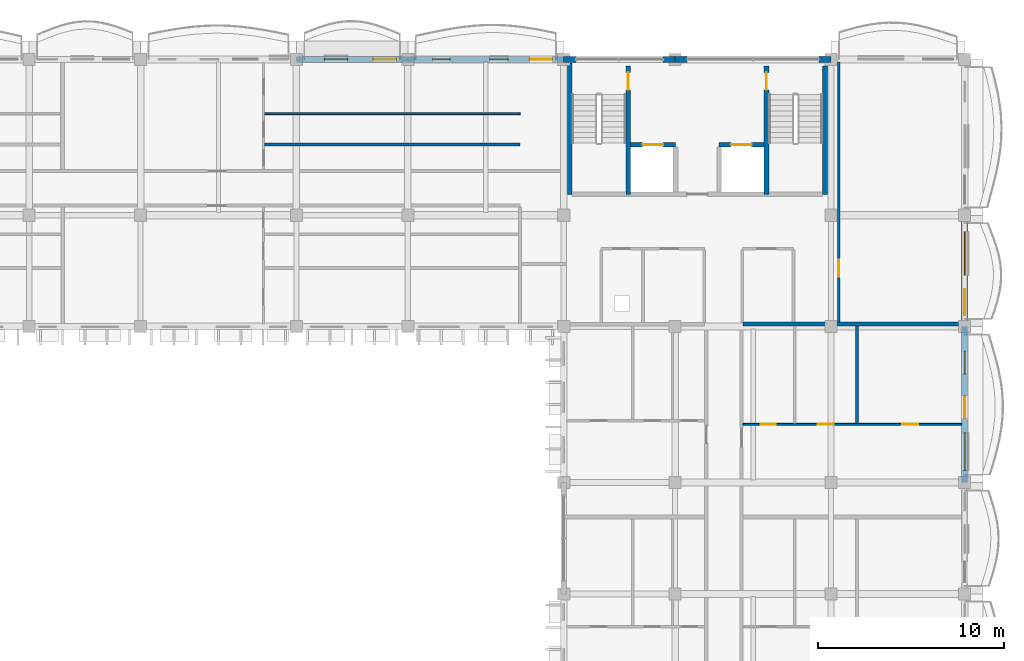
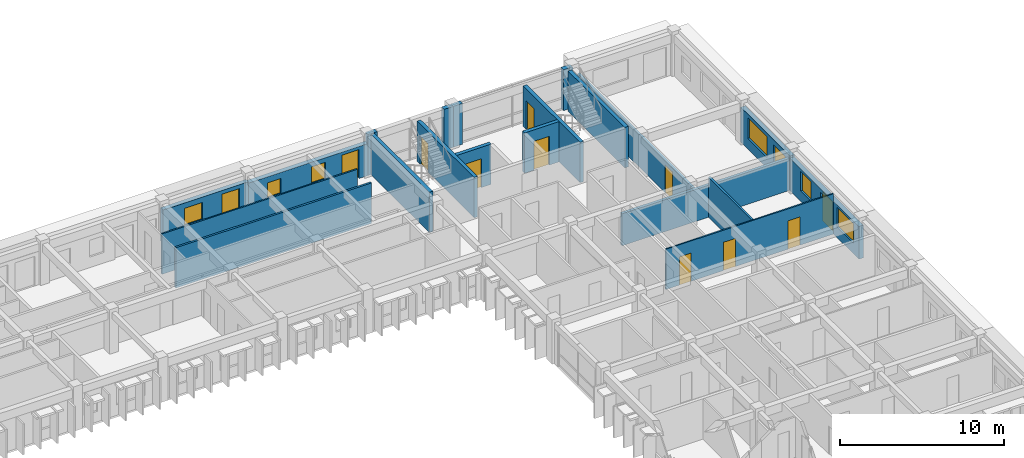
# One storey, part 46 of 76: 20 walls, 12 doors, 6 windows, 18 openings.
"""IFC4 building model written with IfcOpenShell, lengths in metres."""

from ifc_helpers import new_model, si_unit, direction, frame, frame_2d, origin, place, context, subcontext, project, spatial, rectangle, extrude, material, layer, layer_set, type_object, element, fill, save


model = new_model("IFC4")

# Units and contexts
model_context = context("Model", 3, precision=1e-05, world=origin(), true_north=direction((0.0, 1.0)))
body_context = subcontext(model_context, "Body", "Model", "MODEL_VIEW")
ifc_project = project(units=[si_unit("LENGTHUNIT", "METRE"), si_unit("AREAUNIT", "SQUARE_METRE"), si_unit("VOLUMEUNIT", "CUBIC_METRE"), si_unit("PLANEANGLEUNIT", "RADIAN"), si_unit("MASSUNIT", "GRAM", prefix="KILO"), si_unit("THERMODYNAMICTEMPERATUREUNIT", "KELVIN")], contexts=[model_context])

# Site, building, storey
site_placement = place(None, origin())
site = spatial("IfcSite", under=ifc_project, at=site_placement, CompositionType="ELEMENT")
building_placement = place(site_placement, origin())
building = spatial("IfcBuilding", under=site, at=building_placement, Name="Thalorik Housing Commons", CompositionType="ELEMENT")
storey_placement = place(building_placement, frame((0.0, 0.0, 18.0)))
storey = spatial("IfcBuildingStorey", under=building, at=storey_placement, Name="L05", CompositionType="ELEMENT", Elevation=18.0)

# Wall, opening, door
ifc_material_1 = material(Name="Concrete C40/50", Category="concrete")
ifc_layer_1 = layer(ifc_material_1, 0.25, Name="Concrete C40/50", Category="concrete")
ifc_layer_set_1 = layer_set([ifc_layer_1], Name="Concrete C40/50")
wall_type_1 = type_object("IfcWallType", Name="ARC-WAL-CORE-250", PredefinedType="SHEAR", material=ifc_layer_set_1)
wall_1_placement = place(storey_placement, frame((155.875, 123.25, 0.0), z_axis=(0.0, 0.0, 1.0), x_axis=(0.0, -1.0, 0.0)))
wall_1 = element("IfcWall", 1, at=wall_1_placement, inside=storey, type_object=wall_type_1, Name="L05 Core B Stair 1 Shear Wall", PredefinedType="SHEAR", context=body_context, shape_type="SweptSolid", body=[
    extrude(rectangle(XDim=6.925048828125, YDim=0.25, at=frame_2d((3.46240234375, 0.0))), origin(), (0.0, 0.0, 1.0), 3.0),
])
opening_1_placement = place(wall_1_placement, frame((0.35009765625, 0.0, 0.0)))
opening_1 = element("IfcOpeningElement", 2, at=opening_1_placement, cuts=wall_1, Name="Opening ID-0185", PredefinedType="OPENING", context=body_context, shape_type="SweptSolid", body=[
    extrude(rectangle(XDim=0.949951171875, YDim=2.10009765625, at=frame_2d((0.47509765625, 1.050048828125))), frame((0.0, 0.135009765625, 0.0), z_axis=(0.0, -1.0, 0.0), x_axis=(1.0, 0.0, 0.0)), (0.0, 0.0, 1.0), 0.27001953125),
])
ifc_material_2 = material(Name="Steel S355", Category="steel")
door_type_1 = type_object("IfcDoorType", Name="ARC-DR-FD60-950", OperationType="NOTDEFINED", PredefinedType="DOOR", material=ifc_material_2)
door_1_placement = place(opening_1_placement, origin())
door_1 = element("IfcDoor", 3, at=door_1_placement, inside=storey, type_object=door_type_1, Name="L05 Stair ST-B1 Fire Door", OperationType="SINGLE_SWING_RIGHT", OverallHeight=2.10009765625, OverallWidth=0.949951171875, PredefinedType="DOOR", context=body_context, shape_type="SweptSolid", body=[
    extrude(rectangle(XDim=0.949951171875, YDim=2.10009765625, at=frame_2d((0.47509765625, 1.050048828125))), frame((0.0, 0.02490234375, 0.0), z_axis=(0.0, -1.0, 0.0), x_axis=(1.0, 0.0, 0.0)), (0.0, 0.0, 1.0), 0.050048828125),
])
fill(opening_1, door_1)

# Walls
wall_2_placement = place(storey_placement, frame((152.72509765625, 123.39990234375, 0.0), z_axis=(0.0, 0.0, 1.0), x_axis=(0.0, -1.0, 0.0)))
element("IfcWall", 4, at=wall_2_placement, inside=storey, type_object=wall_type_1, Name="L05 Core B Stair 1 Outer Shear Wall", PredefinedType="SHEAR", context=body_context, shape_type="SweptSolid", body=[
    extrude(rectangle(XDim=7.074951171875, YDim=0.25, at=frame_2d((3.53759765625, 0.0))), origin(), (0.0, 0.0, 1.0), 3.0),
])
wall_3_placement = place(storey_placement, frame((166.47509765625, 123.25, 0.0), z_axis=(0.0, 0.0, 1.0), x_axis=(0.0, -1.0, 0.0)))
element("IfcWall", 5, at=wall_3_placement, inside=storey, type_object=wall_type_1, Name="L05 Core B Stair 2 Outer Shear Wall", PredefinedType="SHEAR", context=body_context, shape_type="SweptSolid", body=[
    extrude(rectangle(XDim=6.925048828125, YDim=0.25, at=frame_2d((3.46240234375, 0.0))), origin(), (0.0, 0.0, 1.0), 3.0),
])

# Wall, opening, door
wall_4_placement = place(storey_placement, frame((163.324951171875, 123.25, 0.0), z_axis=(0.0, 0.0, 1.0), x_axis=(0.0, -1.0, 0.0)))
wall_4 = element("IfcWall", 6, at=wall_4_placement, inside=storey, type_object=wall_type_1, Name="L05 Core B Stair 2 Shear Wall", PredefinedType="SHEAR", context=body_context, shape_type="SweptSolid", body=[
    extrude(rectangle(XDim=6.925048828125, YDim=0.25, at=frame_2d((3.46240234375, 0.0))), origin(), (0.0, 0.0, 1.0), 3.0),
])
opening_2_placement = place(wall_4_placement, frame((0.35009765625, 0.0, 0.0)))
opening_2 = element("IfcOpeningElement", 7, at=opening_2_placement, cuts=wall_4, Name="Opening ID-0186", PredefinedType="OPENING", context=body_context, shape_type="SweptSolid", body=[
    extrude(rectangle(XDim=0.949951171875, YDim=2.10009765625, at=frame_2d((0.47509765625, 1.050048828125))), frame((0.0, 0.135009765625, 0.0), z_axis=(0.0, -1.0, 0.0), x_axis=(1.0, 0.0, 0.0)), (0.0, 0.0, 1.0), 0.27001953125),
])
door_2_placement = place(opening_2_placement, origin())
door_2 = element("IfcDoor", 8, at=door_2_placement, inside=storey, type_object=door_type_1, Name="L05 Stair ST-B2 Fire Door", OperationType="SINGLE_SWING_LEFT", OverallHeight=2.10009765625, OverallWidth=0.949951171875, PredefinedType="DOOR", context=body_context, shape_type="SweptSolid", body=[
    extrude(rectangle(XDim=0.949951171875, YDim=2.10009765625, at=frame_2d((0.47509765625, 1.050048828125))), frame((0.0, 0.02490234375, 0.0), z_axis=(0.0, -1.0, 0.0), x_axis=(1.0, 0.0, 0.0)), (0.0, 0.0, 1.0), 0.050048828125),
])
fill(opening_2, door_2)

wall_5_placement = place(storey_placement, frame((156.0, 119.0, 0.0), z_axis=(0.0, 0.0, 1.0), x_axis=(1.0, 0.0, 0.0)))
wall_5 = element("IfcWall", 9, at=wall_5_placement, inside=storey, type_object=wall_type_1, Name="L05 Lift LF-B1 Front Shaft Wall", PredefinedType="SHEAR", context=body_context, shape_type="SweptSolid", body=[
    extrude(rectangle(XDim=2.425048828125, YDim=0.25, at=frame_2d((1.21240234375, 0.0))), origin(), (0.0, 0.0, 1.0), 3.0),
])
opening_3_placement = place(wall_5_placement, frame((0.64990234375, 0.0, 0.0)))
opening_3 = element("IfcOpeningElement", 10, at=opening_3_placement, cuts=wall_5, Name="Opening LD-LF-B1-L05", PredefinedType="OPENING", context=body_context, shape_type="SweptSolid", body=[
    extrude(rectangle(XDim=1.10009765625, YDim=2.14990234375, at=frame_2d((0.550048828125, 1.074951171875))), frame((0.0, 0.135009765625, 0.0), z_axis=(0.0, -1.0, 0.0), x_axis=(1.0, 0.0, 0.0)), (0.0, 0.0, 1.0), 0.27001953125),
])
door_type_2 = type_object("IfcDoorType", Name="ARC-DR-LIFT-1100", OperationType="NOTDEFINED", PredefinedType="DOOR", material=ifc_material_2)
door_3_placement = place(opening_3_placement, origin())
door_3 = element("IfcDoor", 11, at=door_3_placement, inside=storey, type_object=door_type_2, Name="L05 Lift LF-B1 Landing Door", OperationType="SLIDING_TO_LEFT", OverallHeight=2.14990234375, OverallWidth=1.10009765625, PredefinedType="DOOR", context=body_context, shape_type="SweptSolid", body=[
    extrude(rectangle(XDim=1.10009765625, YDim=2.14990234375, at=frame_2d((0.550048828125, 1.074951171875))), frame((0.0, 0.02490234375, 0.0), z_axis=(0.0, -1.0, 0.0), x_axis=(1.0, 0.0, 0.0)), (0.0, 0.0, 1.0), 0.050048828125),
])
fill(opening_3, door_3)

wall_6_placement = place(storey_placement, frame((160.77490234375, 119.0, 0.0), z_axis=(0.0, 0.0, 1.0), x_axis=(1.0, 0.0, 0.0)))
wall_6 = element("IfcWall", 12, at=wall_6_placement, inside=storey, type_object=wall_type_1, Name="L05 Lift LP-B2 Front Shaft Wall", PredefinedType="SHEAR", context=body_context, shape_type="SweptSolid", body=[
    extrude(rectangle(XDim=2.425048828125, YDim=0.25, at=frame_2d((1.21240234375, 0.0))), origin(), (0.0, 0.0, 1.0), 3.0),
])
opening_4_placement = place(wall_6_placement, frame((0.64990234375, 0.0, 0.0)))
opening_4 = element("IfcOpeningElement", 13, at=opening_4_placement, cuts=wall_6, Name="Opening LD-LP-B2-L05", PredefinedType="OPENING", context=body_context, shape_type="SweptSolid", body=[
    extrude(rectangle(XDim=1.10009765625, YDim=2.14990234375, at=frame_2d((0.550048828125, 1.074951171875))), frame((0.0, 0.135009765625, 0.0), z_axis=(0.0, -1.0, 0.0), x_axis=(1.0, 0.0, 0.0)), (0.0, 0.0, 1.0), 0.27001953125),
])
door_4_placement = place(opening_4_placement, origin())
door_4 = element("IfcDoor", 14, at=door_4_placement, inside=storey, type_object=door_type_2, Name="L05 Lift LP-B2 Landing Door", OperationType="SLIDING_TO_LEFT", OverallHeight=2.14990234375, OverallWidth=1.10009765625, PredefinedType="DOOR", context=body_context, shape_type="SweptSolid", body=[
    extrude(rectangle(XDim=1.10009765625, YDim=2.14990234375, at=frame_2d((0.550048828125, 1.074951171875))), frame((0.0, 0.02490234375, 0.0), z_axis=(0.0, -1.0, 0.0), x_axis=(1.0, 0.0, 0.0)), (0.0, 0.0, 1.0), 0.050048828125),
])
fill(opening_4, door_4)

ifc_material_3 = material(Name="Masonry fire-rated corridor wall", Category="masonry")
ifc_layer_2 = layer(ifc_material_3, 0.14990234375, Name="Masonry fire-rated corridor wall", Category="masonry")
ifc_layer_set_2 = layer_set([ifc_layer_2], Name="Masonry fire-rated corridor wall")
wall_type_2 = type_object("IfcWallType", Name="ARC-WAL-CORR-150", PredefinedType="PARTITIONING", material=ifc_layer_set_2)
wall_7_placement = place(storey_placement, frame((167.219970703125, 109.44189453125, 0.0), z_axis=(0.0, 0.0, 1.0), x_axis=(0.0, 1.0, 0.0)))
wall_7 = element("IfcWall", 15, at=wall_7_placement, inside=storey, type_object=wall_type_2, Name="L05 Block B East Studio Wall", PredefinedType="PARTITIONING", context=body_context, shape_type="SweptSolid", body=[
    extrude(rectangle(XDim=14.01806640625, YDim=0.14990234375, at=frame_2d((7.009033203125, 0.0))), origin(), (0.0, 0.0, 1.0), 2.425048828125),
])
opening_5_placement = place(wall_7_placement, frame((2.447998046875, 0.0, 0.0)))
opening_5 = element("IfcOpeningElement", 16, at=opening_5_placement, cuts=wall_7, Name="Opening ID-1196", PredefinedType="OPENING", context=body_context, shape_type="SweptSolid", body=[
    extrude(rectangle(XDim=0.919921875, YDim=2.10009765625, at=frame_2d((0.4599609375, 1.050048828125))), frame((0.0, 0.0849609375, 0.0), z_axis=(0.0, -1.0, 0.0), x_axis=(1.0, 0.0, 0.0)), (0.0, 0.0, 1.0), 0.169921875),
])
ifc_material_4 = material(Name="Solid core hardwood timber", Category="wood")
door_type_3 = type_object("IfcDoorType", Name="ARC-DR-FD30-920", OperationType="NOTDEFINED", PredefinedType="DOOR", material=ifc_material_4)
door_5_placement = place(opening_5_placement, origin())
door_5 = element("IfcDoor", 17, at=door_5_placement, inside=storey, type_object=door_type_3, Name="L05 Block B East Room Door", OperationType="SINGLE_SWING_LEFT", OverallHeight=2.10009765625, OverallWidth=0.919921875, PredefinedType="DOOR", context=body_context, shape_type="SweptSolid", body=[
    extrude(rectangle(XDim=0.919921875, YDim=2.10009765625, at=frame_2d((0.4599609375, 1.050048828125))), frame((0.0, 0.02490234375, 0.0), z_axis=(0.0, -1.0, 0.0), x_axis=(1.0, 0.0, 0.0)), (0.0, 0.0, 1.0), 0.050048828125),
])
fill(opening_5, door_5)

# Wall, openings, door, window
ifc_material_5 = material(Name="White precast concrete C40/50", Category="concrete")
ifc_layer_3 = layer(ifc_material_5, 0.320068359375, Name="White precast concrete C40/50", Category="concrete")
ifc_layer_set_3 = layer_set([ifc_layer_3], Name="White precast concrete C40/50")
wall_type_3 = type_object("IfcWallType", Name="ARC-WAL-EXT-320", PredefinedType="STANDARD", material=ifc_layer_set_3)
wall_8_placement = place(storey_placement, frame((174.0, 109.199951171875, 0.0), z_axis=(0.0, 0.0, 1.0), x_axis=(0.0, 1.0, 0.0)))
wall_8 = element("IfcWall", 18, at=wall_8_placement, inside=storey, type_object=wall_type_3, Name="L05 Exterior Wall WAL-EXT-L05-B-0559", PredefinedType="STANDARD", context=body_context, shape_type="SweptSolid", body=[
    extrude(rectangle(XDim=6.0, YDim=0.320068359375, at=frame_2d((3.0, 0.0))), origin(), (0.0, 0.0, 1.0), 2.574951171875),
])
opening_6_placement = place(wall_8_placement, frame((0.6201171875, 0.0, 0.0)))
opening_6 = element("IfcOpeningElement", 19, at=opening_6_placement, cuts=wall_8, Name="Opening ED-0174", PredefinedType="OPENING", context=body_context, shape_type="SweptSolid", body=[
    extrude(rectangle(XDim=1.39990234375, YDim=2.199951171875, at=frame_2d((0.699951171875, 1.10009765625))), frame((0.0, 0.169921875, 0.0), z_axis=(0.0, -1.0, 0.0), x_axis=(1.0, 0.0, 0.0)), (0.0, 0.0, 1.0), 0.340087890625),
])
opening_7_placement = place(wall_8_placement, frame((2.764892578125, 0.0, 0.780029296875)))
opening_7 = element("IfcOpeningElement", 20, at=opening_7_placement, cuts=wall_8, Name="Opening W-33", PredefinedType="OPENING", context=body_context, shape_type="SweptSolid", body=[
    extrude(rectangle(XDim=2.35009765625, YDim=1.550048828125, at=frame_2d((1.175048828125, 0.77490234375))), frame((0.0, 0.169921875, 0.0), z_axis=(0.0, -1.0, 0.0), x_axis=(1.0, 0.0, 0.0)), (0.0, 0.0, 1.0), 0.340087890625),
])
ifc_material_6 = material(Name="Anodised aluminium and laminated safety glass", Category="aluminium")
door_type_4 = type_object("IfcDoorType", Name="ARC-DR-BAL-1400", OperationType="NOTDEFINED", PredefinedType="DOOR", material=ifc_material_6)
door_6_placement = place(opening_6_placement, frame((1.39990234375, 0.0, 0.0), z_axis=(0.0, 0.0, 1.0), x_axis=(-1.0, 0.0, 0.0)))
door_6 = element("IfcDoor", 21, at=door_6_placement, inside=storey, type_object=door_type_4, Name="L05 Block B Balcony Glazed Door", OperationType="SLIDING_TO_LEFT", OverallHeight=2.199951171875, OverallWidth=1.39990234375, PredefinedType="DOOR", context=body_context, shape_type="SweptSolid", body=[
    extrude(rectangle(XDim=1.39990234375, YDim=2.199951171875, at=frame_2d((0.699951171875, 1.10009765625))), frame((0.0, 0.02490234375, 0.0), z_axis=(0.0, -1.0, 0.0), x_axis=(1.0, 0.0, 0.0)), (0.0, 0.0, 1.0), 0.050048828125),
])
fill(opening_6, door_6)
ifc_material_7 = material(Name="Anodised aluminium and solar-control low-E glass", Category="aluminium")
window_type_1 = type_object("IfcWindowType", Name="ARC-WIN-33", PartitioningType="DOUBLE_PANEL_VERTICAL", PredefinedType="WINDOW", material=ifc_material_7)
window_1_placement = place(opening_7_placement, origin())
window_1 = element("IfcWindow", 22, at=window_1_placement, inside=storey, type_object=window_type_1, Name="L05 Facade Window 1017", OverallHeight=1.550048828125, OverallWidth=2.35009765625, PartitioningType="DOUBLE_PANEL_VERTICAL", PredefinedType="WINDOW", context=body_context, shape_type="SweptSolid", body=[
    extrude(rectangle(XDim=2.35009765625, YDim=1.550048828125, at=frame_2d((1.175048828125, 0.77490234375))), frame((0.0, 0.030029296875, 0.0), z_axis=(0.0, -1.0, 0.0), x_axis=(1.0, 0.0, 0.0)), (0.0, 0.0, 1.0), 0.06005859375),
])
fill(opening_7, window_1)

# Walls
for number, where, z_axis, x_axis, name in (
    (23, (166.800048828125, 123.60009765625, 0.0), (0.0, 0.0, 1.0), (-1.0, 0.0, 0.0), "L05 Exterior Wall WAL-PIERL-L05-B-0562"),
    (24, (159.050048828125, 123.60009765625, 0.0), (0.0, 0.0, 1.0), (-1.0, 0.0, 0.0), "L05 Exterior Wall WAL-PIERR-L05-B-0562"),
):
    element("IfcWall", number, at=place(storey_placement, frame(where, z_axis=z_axis, x_axis=x_axis)), inside=storey, type_object=wall_type_3, Name=name, PredefinedType="STANDARD", context=body_context, shape_type="SweptSolid", body=[
        extrude(rectangle(XDim=0.650146484375, YDim=0.320068359375, at=frame_2d((0.3251953125, 0.0))), origin(), (0.0, 0.0, 1.0), 3.0400390625),
    ])
wall_9_placement = place(storey_placement, frame((158.39990234375, 123.60009765625, 0.0), z_axis=(0.0, 0.0, 1.0), x_axis=(-1.0, 0.0, 0.0)))
element("IfcWall", 25, at=wall_9_placement, inside=storey, type_object=wall_type_3, Name="L05 Exterior Wall WAL-PIERL-L05-B-0563", PredefinedType="STANDARD", context=body_context, shape_type="SweptSolid", body=[
    extrude(rectangle(XDim=0.64990234375, YDim=0.320068359375, at=frame_2d((0.324951171875, 0.0))), origin(), (0.0, 0.0, 1.0), 3.0400390625),
])
wall_10_placement = place(storey_placement, frame((153.050048828125, 123.60009765625, 0.0), z_axis=(0.0, 0.0, 1.0), x_axis=(-1.0, 0.0, 0.0)))
element("IfcWall", 26, at=wall_10_placement, inside=storey, type_object=wall_type_3, Name="L05 Exterior Wall WAL-PIERR-L05-B-0563", PredefinedType="STANDARD", context=body_context, shape_type="SweptSolid", body=[
    extrude(rectangle(XDim=0.650146484375, YDim=0.320068359375, at=frame_2d((0.3251953125, 0.0))), origin(), (0.0, 0.0, 1.0), 3.0400390625),
])

# Wall, openings, door, windows
wall_11_placement = place(storey_placement, frame((152.39990234375, 123.60009765625, 0.0), z_axis=(0.0, 0.0, 1.0), x_axis=(-1.0, 0.0, 0.0)))
wall_11 = element("IfcWall", 27, at=wall_11_placement, inside=storey, type_object=wall_type_3, Name="L05 Exterior Wall WAL-EXT-L05-B-0564", PredefinedType="STANDARD", context=body_context, shape_type="SweptSolid", body=[
    extrude(rectangle(XDim=8.39990234375, YDim=0.320068359375, at=frame_2d((4.199951171875, 0.0))), origin(), (0.0, 0.0, 1.0), 2.375),
])
opening_8_placement = place(wall_11_placement, frame((0.6201171875, 0.0, 0.0)))
opening_8 = element("IfcOpeningElement", 28, at=opening_8_placement, cuts=wall_11, Name="Opening ED-0177", PredefinedType="OPENING", context=body_context, shape_type="SweptSolid", body=[
    extrude(rectangle(XDim=1.199951171875, YDim=2.14990234375, at=frame_2d((0.60009765625, 1.074951171875))), frame((0.0, 0.169921875, 0.0), z_axis=(0.0, -1.0, 0.0), x_axis=(1.0, 0.0, 0.0)), (0.0, 0.0, 1.0), 0.340087890625),
])
opening_9_placement = place(wall_11_placement, frame((2.989990234375, 0.0, 0.780029296875)))
opening_9 = element("IfcOpeningElement", 29, at=opening_9_placement, cuts=wall_11, Name="Opening W-02", PredefinedType="OPENING", context=body_context, shape_type="SweptSolid", body=[
    extrude(rectangle(XDim=1.0, YDim=1.25, at=frame_2d((0.5, 0.625))), frame((0.0, 0.169921875, 0.0), z_axis=(0.0, -1.0, 0.0), x_axis=(1.0, 0.0, 0.0)), (0.0, 0.0, 1.0), 0.340087890625),
])
opening_10_placement = place(wall_11_placement, frame((6.114990234375, 0.0, 0.780029296875)))
opening_10 = element("IfcOpeningElement", 30, at=opening_10_placement, cuts=wall_11, Name="Opening W-43", PredefinedType="OPENING", context=body_context, shape_type="SweptSolid", body=[
    extrude(rectangle(XDim=0.949951171875, YDim=1.14990234375, at=frame_2d((0.47509765625, 0.574951171875))), frame((0.0, 0.169921875, 0.0), z_axis=(0.0, -1.0, 0.0), x_axis=(1.0, 0.0, 0.0)), (0.0, 0.0, 1.0), 0.340087890625),
])
door_type_5 = type_object("IfcDoorType", Name="ARC-DR-BAL-1200", OperationType="NOTDEFINED", PredefinedType="DOOR", material=ifc_material_6)
door_7_placement = place(opening_8_placement, frame((1.199951171875, 0.0, 0.0), z_axis=(0.0, 0.0, 1.0), x_axis=(-1.0, 0.0, 0.0)))
door_7 = element("IfcDoor", 31, at=door_7_placement, inside=storey, type_object=door_type_5, Name="L05 Block B Balcony Glazed Door", OperationType="SINGLE_SWING_RIGHT", OverallHeight=2.14990234375, OverallWidth=1.199951171875, PredefinedType="DOOR", context=body_context, shape_type="SweptSolid", body=[
    extrude(rectangle(XDim=1.199951171875, YDim=2.14990234375, at=frame_2d((0.60009765625, 1.074951171875))), frame((0.0, 0.02490234375, 0.0), z_axis=(0.0, -1.0, 0.0), x_axis=(1.0, 0.0, 0.0)), (0.0, 0.0, 1.0), 0.050048828125),
])
fill(opening_8, door_7)
window_type_2 = type_object("IfcWindowType", Name="ARC-WIN-02", PartitioningType="SINGLE_PANEL", PredefinedType="WINDOW", material=ifc_material_7)
window_2_placement = place(opening_9_placement, origin())
window_2 = element("IfcWindow", 32, at=window_2_placement, inside=storey, type_object=window_type_2, Name="L05 Facade Window 1021", OverallHeight=1.25, OverallWidth=1.0, PartitioningType="SINGLE_PANEL", PredefinedType="WINDOW", context=body_context, shape_type="SweptSolid", body=[
    extrude(rectangle(XDim=1.0, YDim=1.25, at=frame_2d((0.5, 0.625))), frame((0.0, 0.030029296875, 0.0), z_axis=(0.0, -1.0, 0.0), x_axis=(1.0, 0.0, 0.0)), (0.0, 0.0, 1.0), 0.06005859375),
])
fill(opening_9, window_2)
window_type_3 = type_object("IfcWindowType", Name="ARC-WIN-43", PartitioningType="SINGLE_PANEL", PredefinedType="WINDOW", material=ifc_material_7)
window_3_placement = place(opening_10_placement, origin())
window_3 = element("IfcWindow", 33, at=window_3_placement, inside=storey, type_object=window_type_3, Name="L05 Facade Window 1022", OverallHeight=1.14990234375, OverallWidth=0.949951171875, PartitioningType="SINGLE_PANEL", PredefinedType="WINDOW", context=body_context, shape_type="SweptSolid", body=[
    extrude(rectangle(XDim=0.949951171875, YDim=1.14990234375, at=frame_2d((0.47509765625, 0.574951171875))), frame((0.0, 0.030029296875, 0.0), z_axis=(0.0, -1.0, 0.0), x_axis=(1.0, 0.0, 0.0)), (0.0, 0.0, 1.0), 0.06005859375),
])
fill(opening_10, window_3)

# Wall, openings, door, window
wall_12_placement = place(storey_placement, frame((144.0, 123.60009765625, 0.0), z_axis=(0.0, 0.0, 1.0), x_axis=(-1.0, 0.0, 0.0)))
wall_12 = element("IfcWall", 34, at=wall_12_placement, inside=storey, type_object=wall_type_3, Name="L05 Exterior Wall WAL-EXT-L05-B-0565", PredefinedType="STANDARD", context=body_context, shape_type="SweptSolid", body=[
    extrude(rectangle(XDim=6.0, YDim=0.320068359375, at=frame_2d((3.0, 0.0))), origin(), (0.0, 0.0, 1.0), 2.47509765625),
])
opening_11_placement = place(wall_12_placement, frame((0.6201171875, 0.0, 0.0)))
opening_11 = element("IfcOpeningElement", 35, at=opening_11_placement, cuts=wall_12, Name="Opening ED-0178", PredefinedType="OPENING", context=body_context, shape_type="SweptSolid", body=[
    extrude(rectangle(XDim=1.25, YDim=2.199951171875, at=frame_2d((0.625, 1.10009765625))), frame((0.0, 0.169921875, 0.0), z_axis=(0.0, -1.0, 0.0), x_axis=(1.0, 0.0, 0.0)), (0.0, 0.0, 1.0), 0.340087890625),
])
opening_12_placement = place(wall_12_placement, frame((3.239990234375, 0.0, 0.780029296875)))
opening_12 = element("IfcOpeningElement", 36, at=opening_12_placement, cuts=wall_12, Name="Opening W-46", PredefinedType="OPENING", context=body_context, shape_type="SweptSolid", body=[
    extrude(rectangle(XDim=1.25, YDim=1.300048828125, at=frame_2d((0.625, 0.64990234375))), frame((0.0, 0.169921875, 0.0), z_axis=(0.0, -1.0, 0.0), x_axis=(1.0, 0.0, 0.0)), (0.0, 0.0, 1.0), 0.340087890625),
])
door_type_6 = type_object("IfcDoorType", Name="ARC-DR-BAL-1250", OperationType="NOTDEFINED", PredefinedType="DOOR", material=ifc_material_6)
door_8_placement = place(opening_11_placement, frame((1.25, 0.0, 0.0), z_axis=(0.0, 0.0, 1.0), x_axis=(-1.0, 0.0, 0.0)))
door_8 = element("IfcDoor", 37, at=door_8_placement, inside=storey, type_object=door_type_6, Name="L05 Block B Balcony Glazed Door", OperationType="SINGLE_SWING_LEFT", OverallHeight=2.199951171875, OverallWidth=1.25, PredefinedType="DOOR", context=body_context, shape_type="SweptSolid", body=[
    extrude(rectangle(XDim=1.25, YDim=2.199951171875, at=frame_2d((0.625, 1.10009765625))), frame((0.0, 0.02490234375, 0.0), z_axis=(0.0, -1.0, 0.0), x_axis=(1.0, 0.0, 0.0)), (0.0, 0.0, 1.0), 0.050048828125),
])
fill(opening_11, door_8)
window_type_4 = type_object("IfcWindowType", Name="ARC-WIN-46", PartitioningType="SINGLE_PANEL", PredefinedType="WINDOW", material=ifc_material_7)
window_4_placement = place(opening_12_placement, origin())
window_4 = element("IfcWindow", 38, at=window_4_placement, inside=storey, type_object=window_type_4, Name="L05 Facade Window 1023", OverallHeight=1.300048828125, OverallWidth=1.25, PartitioningType="SINGLE_PANEL", PredefinedType="WINDOW", context=body_context, shape_type="SweptSolid", body=[
    extrude(rectangle(XDim=1.25, YDim=1.300048828125, at=frame_2d((0.625, 0.64990234375))), frame((0.0, 0.030029296875, 0.0), z_axis=(0.0, -1.0, 0.0), x_axis=(1.0, 0.0, 0.0)), (0.0, 0.0, 1.0), 0.06005859375),
])
fill(opening_12, window_4)

# Wall, openings, door, windows
wall_13_placement = place(storey_placement, frame((174.0, 100.800048828125, 0.0), z_axis=(0.0, 0.0, 1.0), x_axis=(0.0, 1.0, 0.0)))
wall_13 = element("IfcWall", 39, at=wall_13_placement, inside=storey, type_object=wall_type_3, Name="L05 Exterior Wall WAL-EXT-L05-B-0596", PredefinedType="STANDARD", context=body_context, shape_type="SweptSolid", body=[
    extrude(rectangle(XDim=8.39990234375, YDim=0.320068359375, at=frame_2d((4.199951171875, 0.0))), origin(), (0.0, 0.0, 1.0), 2.425048828125),
])
opening_13_placement = place(wall_13_placement, frame((3.4619140625, 0.0, 0.0)))
opening_13 = element("IfcOpeningElement", 40, at=opening_13_placement, cuts=wall_13, Name="Opening ED-0190", PredefinedType="OPENING", context=body_context, shape_type="SweptSolid", body=[
    extrude(rectangle(XDim=1.199951171875, YDim=2.14990234375, at=frame_2d((0.60009765625, 1.074951171875))), frame((0.0, 0.169921875, 0.0), z_axis=(0.0, -1.0, 0.0), x_axis=(1.0, 0.0, 0.0)), (0.0, 0.0, 1.0), 0.340087890625),
])
opening_14_placement = place(wall_13_placement, frame((0.64111328125, 0.0, 0.780029296875)))
opening_14 = element("IfcOpeningElement", 41, at=opening_14_placement, cuts=wall_13, Name="Opening W-62", PredefinedType="OPENING", context=body_context, shape_type="SweptSolid", body=[
    extrude(rectangle(XDim=2.0400390625, YDim=1.4599609375, at=frame_2d((1.02001953125, 0.72998046875))), frame((0.0, 0.169921875, 0.0), z_axis=(0.0, -1.0, 0.0), x_axis=(1.0, 0.0, 0.0)), (0.0, 0.0, 1.0), 0.340087890625),
])
opening_15_placement = place(wall_13_placement, frame((5.8359375, 0.0, 0.780029296875)))
opening_15 = element("IfcOpeningElement", 42, at=opening_15_placement, cuts=wall_13, Name="Opening W-47", PredefinedType="OPENING", context=body_context, shape_type="SweptSolid", body=[
    extrude(rectangle(XDim=1.25, YDim=1.449951171875, at=frame_2d((0.625, 0.72509765625))), frame((0.0, 0.169921875, 0.0), z_axis=(0.0, -1.0, 0.0), x_axis=(1.0, 0.0, 0.0)), (0.0, 0.0, 1.0), 0.340087890625),
])
door_9_placement = place(opening_13_placement, frame((1.199951171875, 0.0, 0.0), z_axis=(0.0, 0.0, 1.0), x_axis=(-1.0, 0.0, 0.0)))
door_9 = element("IfcDoor", 43, at=door_9_placement, inside=storey, type_object=door_type_5, Name="L05 Block B Balcony Glazed Door", OperationType="SINGLE_SWING_LEFT", OverallHeight=2.14990234375, OverallWidth=1.199951171875, PredefinedType="DOOR", context=body_context, shape_type="SweptSolid", body=[
    extrude(rectangle(XDim=1.199951171875, YDim=2.14990234375, at=frame_2d((0.60009765625, 1.074951171875))), frame((0.0, 0.02490234375, 0.0), z_axis=(0.0, -1.0, 0.0), x_axis=(1.0, 0.0, 0.0)), (0.0, 0.0, 1.0), 0.050048828125),
])
fill(opening_13, door_9)
window_type_5 = type_object("IfcWindowType", Name="ARC-WIN-47", PartitioningType="SINGLE_PANEL", PredefinedType="WINDOW", material=ifc_material_7)
window_5_placement = place(opening_15_placement, origin())
window_5 = element("IfcWindow", 44, at=window_5_placement, inside=storey, type_object=window_type_5, Name="L05 Facade Window 1084", OverallHeight=1.449951171875, OverallWidth=1.25, PartitioningType="SINGLE_PANEL", PredefinedType="WINDOW", context=body_context, shape_type="SweptSolid", body=[
    extrude(rectangle(XDim=1.25, YDim=1.449951171875, at=frame_2d((0.625, 0.72509765625))), frame((0.0, 0.030029296875, 0.0), z_axis=(0.0, -1.0, 0.0), x_axis=(1.0, 0.0, 0.0)), (0.0, 0.0, 1.0), 0.06005859375),
])
fill(opening_15, window_5)
window_type_6 = type_object("IfcWindowType", Name="ARC-WIN-62", PartitioningType="DOUBLE_PANEL_VERTICAL", PredefinedType="WINDOW", material=ifc_material_7)
window_6_placement = place(opening_14_placement, origin())
window_6 = element("IfcWindow", 45, at=window_6_placement, inside=storey, type_object=window_type_6, Name="L05 Facade Window 1083", OverallHeight=1.4599609375, OverallWidth=2.0400390625, PartitioningType="DOUBLE_PANEL_VERTICAL", PredefinedType="WINDOW", context=body_context, shape_type="SweptSolid", body=[
    extrude(rectangle(XDim=2.0400390625, YDim=1.4599609375, at=frame_2d((1.02001953125, 0.72998046875))), frame((0.0, 0.030029296875, 0.0), z_axis=(0.0, -1.0, 0.0), x_axis=(1.0, 0.0, 0.0)), (0.0, 0.0, 1.0), 0.06005859375),
])
fill(opening_14, window_6)

# Wall
ifc_material_8 = material(Name="Gypsum light stud partition", Category="masonry")
ifc_layer_4 = layer(ifc_material_8, 0.10009765625, Name="Gypsum light stud partition", Category="masonry")
ifc_layer_set_4 = layer_set([ifc_layer_4], Name="Gypsum light stud partition")
wall_type_4 = type_object("IfcWallType", Name="ARC-WAL-PART-100", PredefinedType="PARTITIONING", material=ifc_layer_set_4)
wall_14_placement = place(storey_placement, frame((136.29150390625, 120.67919921875, 0.0), z_axis=(0.0, 0.0, 1.0), x_axis=(1.0, 0.0, 0.0)))
element("IfcWall", 46, at=wall_14_placement, inside=storey, type_object=wall_type_4, Name="L05 Unit 3B Bedroom Partition", PredefinedType="PARTITIONING", context=body_context, shape_type="SweptSolid", body=[
    extrude(rectangle(XDim=13.758544921875, YDim=0.10009765625, at=frame_2d((6.87939453125, 0.0))), origin(), (0.0, 0.0, 1.0), 3.0),
])

# Wall, openings, doors
wall_15_placement = place(storey_placement, frame((162.056884765625, 103.931884765625, 0.0), z_axis=(0.0, 0.0, 1.0), x_axis=(1.0, 0.0, 0.0)))
wall_15 = element("IfcWall", 47, at=wall_15_placement, inside=storey, type_object=wall_type_4, Name="L05 Unit 3B Spine Partition", PredefinedType="PARTITIONING", context=body_context, shape_type="SweptSolid", body=[
    extrude(rectangle(XDim=11.781005859375, YDim=0.10009765625, at=frame_2d((5.890625, 0.0))), origin(), (0.0, 0.0, 1.0), 3.0),
])
opening_16_placement = place(wall_15_placement, frame((0.958251953125, 0.0, 0.0)))
opening_16 = element("IfcOpeningElement", 48, at=opening_16_placement, cuts=wall_15, Name="Opening ID-1212", PredefinedType="OPENING", context=body_context, shape_type="SweptSolid", body=[
    extrude(rectangle(XDim=0.800048828125, YDim=2.10009765625, at=frame_2d((0.39990234375, 1.050048828125))), frame((0.0, 0.06005859375, 0.0), z_axis=(0.0, -1.0, 0.0), x_axis=(1.0, 0.0, 0.0)), (0.0, 0.0, 1.0), 0.1201171875),
])
opening_17_placement = place(wall_15_placement, frame((4.042724609375, 0.0, 0.0)))
opening_17 = element("IfcOpeningElement", 49, at=opening_17_placement, cuts=wall_15, Name="Opening ID-1213", PredefinedType="OPENING", context=body_context, shape_type="SweptSolid", body=[
    extrude(rectangle(XDim=0.85009765625, YDim=2.10009765625, at=frame_2d((0.425048828125, 1.050048828125))), frame((0.0, 0.06005859375, 0.0), z_axis=(0.0, -1.0, 0.0), x_axis=(1.0, 0.0, 0.0)), (0.0, 0.0, 1.0), 0.1201171875),
])
opening_18_placement = place(wall_15_placement, frame((8.587646484375, 0.0, 0.0)))
opening_18 = element("IfcOpeningElement", 50, at=opening_18_placement, cuts=wall_15, Name="Opening ID-1214", PredefinedType="OPENING", context=body_context, shape_type="SweptSolid", body=[
    extrude(rectangle(XDim=0.85009765625, YDim=2.10009765625, at=frame_2d((0.425048828125, 1.050048828125))), frame((0.0, 0.06005859375, 0.0), z_axis=(0.0, -1.0, 0.0), x_axis=(1.0, 0.0, 0.0)), (0.0, 0.0, 1.0), 0.1201171875),
])
ifc_material_9 = material(Name="Moisture-resistant timber", Category="wood")
door_type_7 = type_object("IfcDoorType", Name="ARC-DR-INT-800", OperationType="NOTDEFINED", PredefinedType="DOOR", material=ifc_material_9)
door_10_placement = place(opening_16_placement, origin())
door_10 = element("IfcDoor", 51, at=door_10_placement, inside=storey, type_object=door_type_7, Name="L05 Accessible Bathroom Door", OperationType="SINGLE_SWING_LEFT", OverallHeight=2.10009765625, OverallWidth=0.800048828125, PredefinedType="DOOR", context=body_context, shape_type="SweptSolid", body=[
    extrude(rectangle(XDim=0.800048828125, YDim=2.10009765625, at=frame_2d((0.39990234375, 1.050048828125))), frame((0.0, 0.02490234375, 0.0), z_axis=(0.0, -1.0, 0.0), x_axis=(1.0, 0.0, 0.0)), (0.0, 0.0, 1.0), 0.050048828125),
])
fill(opening_16, door_10)
ifc_material_10 = material(Name="Engineered oak timber", Category="wood")
door_type_8 = type_object("IfcDoorType", Name="ARC-DR-INT-850", OperationType="NOTDEFINED", PredefinedType="DOOR", material=ifc_material_10)
door_11_placement = place(opening_17_placement, origin())
door_11 = element("IfcDoor", 52, at=door_11_placement, inside=storey, type_object=door_type_8, Name="L05 Eat-In Kitchen Door", OperationType="SINGLE_SWING_RIGHT", OverallHeight=2.10009765625, OverallWidth=0.85009765625, PredefinedType="DOOR", context=body_context, shape_type="SweptSolid", body=[
    extrude(rectangle(XDim=0.85009765625, YDim=2.10009765625, at=frame_2d((0.425048828125, 1.050048828125))), frame((0.0, 0.02490234375, 0.0), z_axis=(0.0, -1.0, 0.0), x_axis=(1.0, 0.0, 0.0)), (0.0, 0.0, 1.0), 0.050048828125),
])
fill(opening_17, door_11)
door_12_placement = place(opening_18_placement, origin())
door_12 = element("IfcDoor", 53, at=door_12_placement, inside=storey, type_object=door_type_8, Name="L05 Double Bedroom Door", OperationType="SINGLE_SWING_LEFT", OverallHeight=2.10009765625, OverallWidth=0.85009765625, PredefinedType="DOOR", context=body_context, shape_type="SweptSolid", body=[
    extrude(rectangle(XDim=0.85009765625, YDim=2.10009765625, at=frame_2d((0.425048828125, 1.050048828125))), frame((0.0, 0.02490234375, 0.0), z_axis=(0.0, -1.0, 0.0), x_axis=(1.0, 0.0, 0.0)), (0.0, 0.0, 1.0), 0.050048828125),
])
fill(opening_18, door_12)

# Walls
ifc_material_11 = material(Name="Ceramic masonry partition wall", Category="masonry")
ifc_layer_5 = layer(ifc_material_11, 0.139892578125, Name="Ceramic masonry partition wall", Category="masonry")
ifc_layer_set_5 = layer_set([ifc_layer_5], Name="Ceramic masonry partition wall")
wall_type_5 = type_object("IfcWallType", Name="ARC-WAL-PART-140", PredefinedType="PARTITIONING", material=ifc_layer_set_5)
wall_16_placement = place(storey_placement, frame((136.29150390625, 119.010498046875, 0.0), z_axis=(0.0, 0.0, 1.0), x_axis=(1.0, 0.0, 0.0)))
element("IfcWall", 54, at=wall_16_placement, inside=storey, type_object=wall_type_5, Name="L05 Unit 3B Wet Wall", PredefinedType="PARTITIONING", context=body_context, shape_type="SweptSolid", body=[
    extrude(rectangle(XDim=13.758544921875, YDim=0.139892578125, at=frame_2d((6.87939453125, 0.0))), origin(), (0.0, 0.0, 1.0), 3.0),
])
wall_17_placement = place(storey_placement, frame((168.19921875, 103.98388671875, 0.0), z_axis=(0.0, 0.0, 1.0), x_axis=(0.0, 1.0, 0.0)))
element("IfcWall", 55, at=wall_17_placement, inside=storey, type_object=wall_type_5, Name="L05 Unit 3B Bedroom Partition", PredefinedType="PARTITIONING", context=body_context, shape_type="SweptSolid", body=[
    extrude(rectangle(XDim=5.254150390625, YDim=0.139892578125, at=frame_2d((2.626953125, 0.0))), origin(), (0.0, 0.0, 1.0), 3.0),
])
ifc_material_12 = material(Name="Precast concrete C40/50 acoustic wall", Category="concrete")
ifc_layer_6 = layer(ifc_material_12, 0.199951171875, Name="Precast concrete C40/50 acoustic wall", Category="concrete")
ifc_layer_set_6 = layer_set([ifc_layer_6], Name="Precast concrete C40/50 acoustic wall")
wall_type_6 = type_object("IfcWallType", Name="ARC-WAL-PARTY-200", PredefinedType="PARTITIONING", material=ifc_layer_set_6)
wall_18_placement = place(storey_placement, frame((162.056884765625, 109.340087890625, 0.0), z_axis=(0.0, 0.0, 1.0), x_axis=(1.0, 0.0, 0.0)))
element("IfcWall", 56, at=wall_18_placement, inside=storey, type_object=wall_type_6, Name="L05 Core End Wall B", PredefinedType="PARTITIONING", context=body_context, shape_type="SweptSolid", body=[
    extrude(rectangle(XDim=11.781005859375, YDim=0.199951171875, at=frame_2d((5.890625, 0.0))), origin(), (0.0, 0.0, 1.0), 2.375),
])

save(model, "model.ifc")
